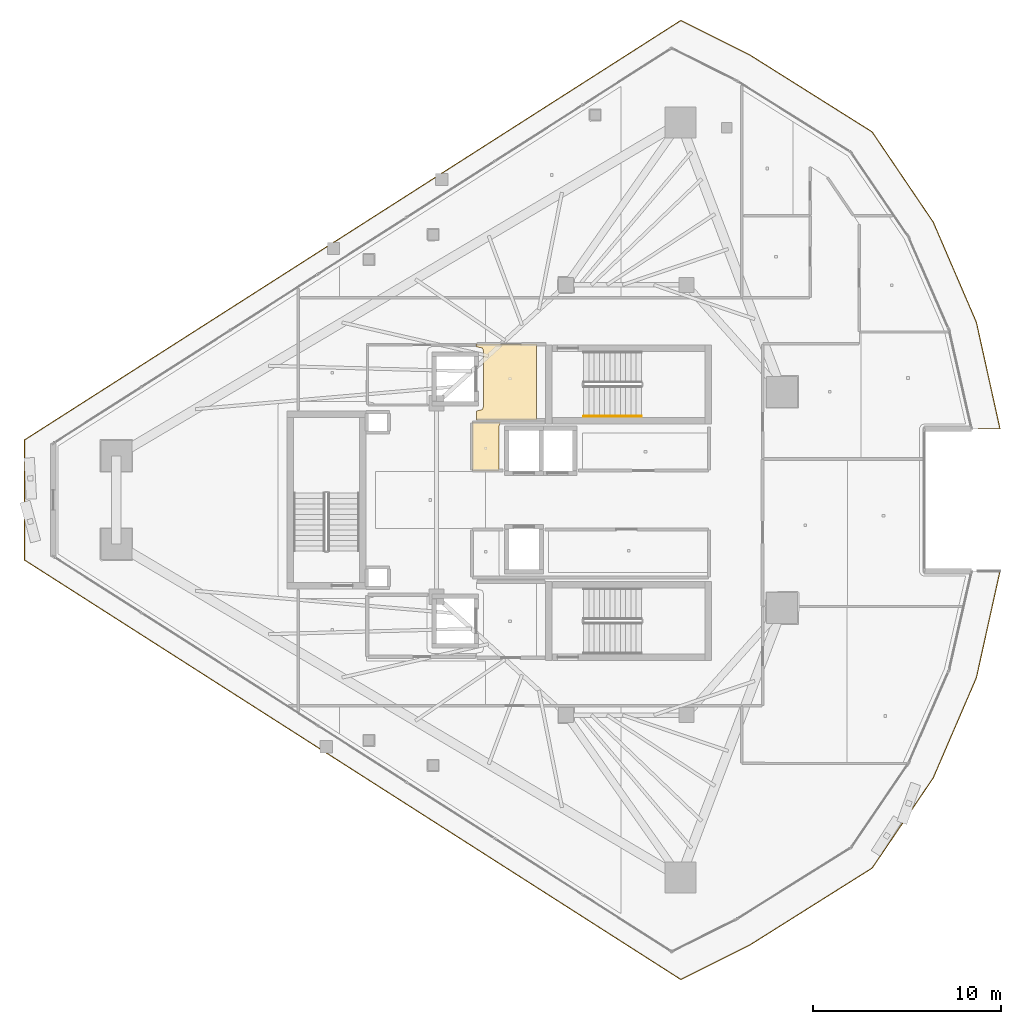
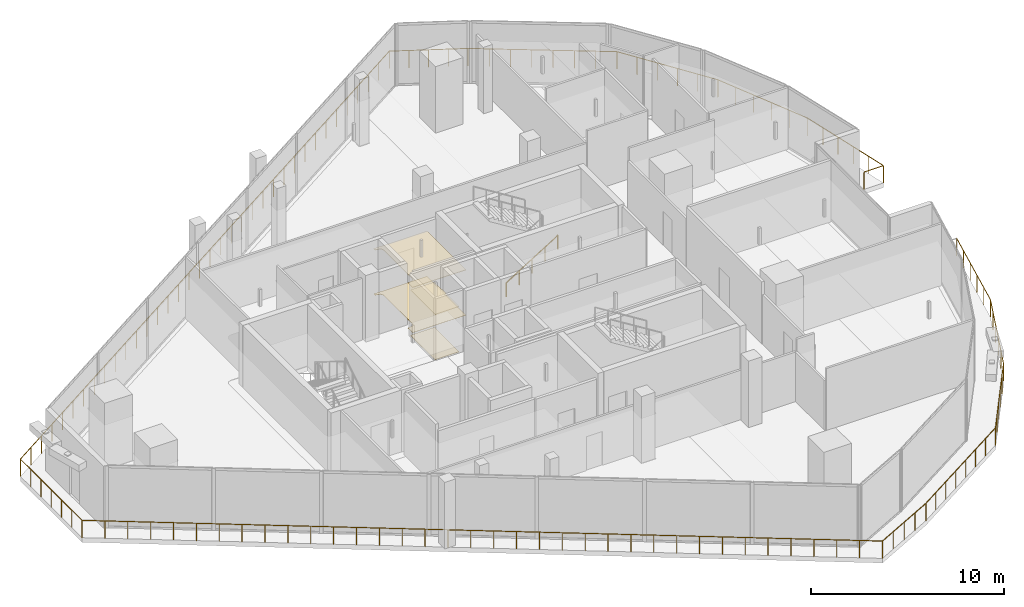
# One storey, part 32 of 34: 4 coverings, 2 railings.
"""IFC4 building model written with IfcOpenShell, lengths in metres."""

from ifc_helpers import new_model, si_unit, direction, frame, origin, origin_2d, place, context, subcontext, project, spatial, polyline, circle, outline, extrude, material, layer, layer_set, type_object, element, save


model = new_model("IFC4")

# Units and contexts
model_context = context("Model", 3, precision=1e-05, world=origin(), true_north=direction((0.0, 1.0)))
body_context = subcontext(model_context, "Body", "Model", "MODEL_VIEW")
ifc_project = project(units=[si_unit("LENGTHUNIT", "METRE"), si_unit("AREAUNIT", "SQUARE_METRE"), si_unit("VOLUMEUNIT", "CUBIC_METRE"), si_unit("PLANEANGLEUNIT", "RADIAN"), si_unit("MASSUNIT", "GRAM", prefix="KILO")], contexts=[model_context])

# Site, building, storey
site_placement = place(None, origin())
site = spatial("IfcSite", under=ifc_project, at=site_placement, CompositionType="ELEMENT")
building_placement = place(site_placement, origin())
building = spatial("IfcBuilding", under=site, at=building_placement, Name="Qorvath Tower", CompositionType="ELEMENT")
storey_placement = place(building_placement, frame((0.0, 0.0, 268.199951171875)))
storey = spatial("IfcBuildingStorey", under=building, at=storey_placement, Name="L62", CompositionType="ELEMENT", Elevation=268.199951171875)

# Coverings
ifc_material_1 = material(Name="Acoustic mineral fibre ceiling tile", Category="gypsum")
ifc_layer_1 = layer(ifc_material_1, 0.030029296875)
ifc_layer_set_1 = layer_set([ifc_layer_1], Name="COV-CEIL")
covering_type_1 = type_object("IfcCoveringType", Name="COV-CEIL", PredefinedType="CEILING", material=ifc_layer_set_1)
covering_1_placement = place(storey_placement, frame((0.0, 0.0, 2.85009765625)))
element("IfcCovering", 1, at=covering_1_placement, inside=storey, type_object=covering_type_1, Name="L62 Suspended Acoustic Ceiling 001", PredefinedType="CEILING", context=body_context, shape_type="SweptSolid", body=[
    extrude(outline(polyline([(-25.18994140625, 4.2548828125), (-25.18994140625, 8.294921875), (-28.375, 8.294921875), (-28.375, 8.159912109375), (-28.063232421875, 8.086669921875), (-27.989990234375, 7.909912109375), (-27.989990234375, 4.989990234375), (-28.063232421875, 4.813232421875), (-28.375, 4.739990234375), (-28.375, 4.2548828125), (-25.18994140625, 4.2548828125)])), origin(), (0.0, 0.0, 1.0), 0.030029296875),
])
covering_2_placement = place(storey_placement, frame((0.0, 0.0, 2.85009765625)))
element("IfcCovering", 2, at=covering_2_placement, inside=storey, type_object=covering_type_1, Name="L62 Suspended Acoustic Ceiling 004", PredefinedType="CEILING", context=body_context, shape_type="SweptSolid", body=[
    extrude(outline(polyline([(-27.159912109375, 1.56494140625), (-27.159912109375, 3.9599609375), (-27.095703125, 4.114990234375), (-28.594970703125, 4.114990234375), (-28.594970703125, 1.56494140625), (-27.159912109375, 1.56494140625)])), origin(), (0.0, 0.0, 1.0), 0.030029296875),
])
ifc_material_2 = material(Name="Low-VOC modular carpet tile", Category="textile")
ifc_layer_2 = layer(ifc_material_2, 0.014892578125)
ifc_layer_set_2 = layer_set([ifc_layer_2], Name="COV-FLOOR-CPT")
covering_type_2 = type_object("IfcCoveringType", Name="COV-FLOOR-CPT", PredefinedType="FLOORING", material=ifc_layer_set_2)
covering_3_placement = place(storey_placement, origin())
element("IfcCovering", 3, at=covering_3_placement, inside=storey, type_object=covering_type_2, Name="L62 Floor Finish 004", PredefinedType="FLOORING", context=body_context, shape_type="SweptSolid", body=[
    extrude(outline(polyline([(-27.159912109375, 1.56494140625), (-27.159912109375, 3.9599609375), (-27.095703125, 4.114990234375), (-28.594970703125, 4.114990234375), (-28.594970703125, 1.56494140625), (-27.159912109375, 1.56494140625)])), origin(), (0.0, 0.0, 1.0), 0.01513671875),
])
ifc_material_3 = material(Name="Polished epoxy terrazzo flooring", Category="concrete")
ifc_layer_3 = layer(ifc_material_3, 0.02001953125)
ifc_layer_set_3 = layer_set([ifc_layer_3], Name="COV-FLOOR-TRZ")
covering_type_3 = type_object("IfcCoveringType", Name="COV-FLOOR-TRZ", PredefinedType="FLOORING", material=ifc_layer_set_3)
covering_4_placement = place(storey_placement, origin())
element("IfcCovering", 4, at=covering_4_placement, inside=storey, type_object=covering_type_3, Name="L62 Floor Finish 001", PredefinedType="FLOORING", context=body_context, shape_type="SweptSolid", body=[
    extrude(outline(polyline([(-25.18994140625, 4.2548828125), (-25.18994140625, 8.294921875), (-28.375, 8.294921875), (-28.375, 8.159912109375), (-28.063232421875, 8.086669921875), (-27.989990234375, 7.909912109375), (-27.989990234375, 4.989990234375), (-28.063232421875, 4.813232421875), (-28.375, 4.739990234375), (-28.375, 4.2548828125), (-25.18994140625, 4.2548828125)])), origin(), (0.0, 0.0, 1.0), 0.01513671875),
])

# Railings
ifc_material_4 = material(Name="Laminated safety glass and stainless steel AISI 316", Category="steel")
railing_type_1 = type_object("IfcRailingType", Name="RL-EXT-GRD", PredefinedType="GUARDRAIL", material=ifc_material_4)
railing_1_placement = place(storey_placement, frame((-0.5029296875, -3.790771484375, 0.0)))
element("IfcRailing", 5, at=railing_1_placement, inside=storey, type_object=railing_type_1, Name="Loggia Perimeter Guardrail L62-1.1", PredefinedType="GUARDRAIL", context=body_context, shape_type="SweptSolid", body=[
    extrude(circle(Radius=0.02392578125, at=origin_2d()), frame((0.0, 0.0, 1.09619140625), z_axis=(-0.216053085193, -0.97638161821, 0.0), x_axis=(0.97638161821, -0.216053085193, 0.0)), (0.0, 0.0, 1.0), 5.804931640625),
    extrude(circle(Radius=0.02392578125, at=origin_2d()), frame((-1.254150390625, -5.667724609375, 1.09619140625), z_axis=(-0.39549727844, -0.918467148431, 0.0), x_axis=(0.918467148431, -0.39549727844, 0.0)), (0.0, 0.0, 1.0), 5.80517578125),
    extrude(circle(Radius=0.02392578125, at=origin_2d()), frame((-3.550048828125, -10.99951171875, 1.09619140625), z_axis=(-0.560828616458, -0.827931919279, 0.0), x_axis=(0.827931919279, -0.560828616458, 0.0)), (0.0, 0.0, 1.0), 5.804931640625),
    extrude(circle(Radius=0.02392578125, at=origin_2d()), frame((-6.8056640625, -15.8056640625, 1.09619140625), z_axis=(-0.846504202931, -0.532382038033, 0.0), x_axis=(0.532382038033, -0.846504202931, 0.0)), (0.0, 0.0, 1.0), 7.71923828125),
    extrude(circle(Radius=0.02392578125, at=origin_2d()), frame((-13.340087890625, -19.915283203125, 1.09619140625), z_axis=(-0.894403239972, -0.447261494349, 0.0), x_axis=(0.447261494349, -0.894403239972, 0.0)), (0.0, 0.0, 1.0), 4.07763671875),
    extrude(circle(Radius=0.02392578125, at=origin_2d()), frame((-16.987060546875, -21.739013671875, 1.09619140625), z_axis=(-0.842602711226, 0.538535672945, 0.0), x_axis=(-0.538535672945, -0.842602711226, 0.0)), (0.0, 0.0, 1.0), 41.480224609375),
    extrude(circle(Radius=0.02392578125, at=origin_2d()), frame((-51.9384765625, 0.599609375, 1.09619140625), z_axis=(0.0, 1.0, 0.0), x_axis=(-1.0, 0.0, 0.0)), (0.0, 0.0, 1.0), 6.38232421875),
    extrude(circle(Radius=0.02392578125, at=origin_2d()), frame((-51.9384765625, 6.98193359375, 1.09619140625), z_axis=(0.842602711226, 0.538535672945, 0.0), x_axis=(-0.538535672945, 0.842602711226, 0.0)), (0.0, 0.0, 1.0), 41.480224609375),
    extrude(circle(Radius=0.02392578125, at=origin_2d()), frame((-16.987060546875, 29.320556640625, 1.09619140625), z_axis=(0.894403239972, -0.447261494349, 0.0), x_axis=(0.447261494349, 0.894403239972, 0.0)), (0.0, 0.0, 1.0), 4.07763671875),
    extrude(circle(Radius=0.02392578125, at=origin_2d()), frame((-13.340087890625, 27.496826171875, 1.09619140625), z_axis=(0.846504202931, -0.532382038033, 0.0), x_axis=(0.532382038033, 0.846504202931, 0.0)), (0.0, 0.0, 1.0), 7.71923828125),
    extrude(circle(Radius=0.02392578125, at=origin_2d()), frame((-6.8056640625, 23.38720703125, 1.09619140625), z_axis=(0.560828616458, -0.827931919279, 0.0), x_axis=(0.827931919279, 0.560828616458, 0.0)), (0.0, 0.0, 1.0), 5.804931640625),
    extrude(circle(Radius=0.02392578125, at=origin_2d()), frame((-3.550048828125, 18.5810546875, 1.09619140625), z_axis=(0.39549727844, -0.918467148431, 0.0), x_axis=(0.918467148431, 0.39549727844, 0.0)), (0.0, 0.0, 1.0), 5.80517578125),
    extrude(circle(Radius=0.02392578125, at=origin_2d()), frame((-1.254150390625, 13.249267578125, 1.09619140625), z_axis=(0.216053085193, -0.97638161821, 0.0), x_axis=(0.97638161821, 0.216053085193, 0.0)), (0.0, 0.0, 1.0), 5.804931640625),
    extrude(circle(Radius=0.02392578125, at=origin_2d()), frame((0.0, 7.58154296875, 1.09619140625), z_axis=(-1.0, 0.0, 0.0), x_axis=(0.0, -1.0, 0.0)), (0.0, 0.0, 1.0), 1.158935546875),
    extrude(circle(Radius=0.02099609375, at=origin_2d()), origin(), (0.0, 0.0, 1.0), 1.072021484375),
    extrude(circle(Radius=0.02099609375, at=origin_2d()), frame((-0.250732421875, -1.133544921875, 0.0)), (0.0, 0.0, 1.0), 1.072021484375),
    extrude(circle(Radius=0.02099609375, at=origin_2d()), frame((-0.501708984375, -2.26708984375, 0.0)), (0.0, 0.0, 1.0), 1.072021484375),
    extrude(circle(Radius=0.02099609375, at=origin_2d()), frame((-0.75244140625, -3.400634765625, 0.0)), (0.0, 0.0, 1.0), 1.072021484375),
    extrude(circle(Radius=0.02099609375, at=origin_2d()), frame((-1.00341796875, -4.5341796875, 0.0)), (0.0, 0.0, 1.0), 1.072021484375),
    extrude(circle(Radius=0.02099609375, at=origin_2d()), frame((-1.254150390625, -5.667724609375, 0.0)), (0.0, 0.0, 1.0), 1.072021484375),
    extrude(circle(Radius=0.02099609375, at=origin_2d()), frame((-1.71337890625, -6.734130859375, 0.0)), (0.0, 0.0, 1.0), 1.072021484375),
    extrude(circle(Radius=0.02099609375, at=origin_2d()), frame((-2.172607421875, -7.800537109375, 0.0)), (0.0, 0.0, 1.0), 1.072021484375),
    extrude(circle(Radius=0.02099609375, at=origin_2d()), frame((-2.631591796875, -8.86669921875, 0.0)), (0.0, 0.0, 1.0), 1.072021484375),
    extrude(circle(Radius=0.02099609375, at=origin_2d()), frame((-3.0908203125, -9.93310546875, 0.0)), (0.0, 0.0, 1.0), 1.072021484375),
    extrude(circle(Radius=0.02099609375, at=origin_2d()), frame((-3.550048828125, -10.99951171875, 0.0)), (0.0, 0.0, 1.0), 1.072021484375),
    extrude(circle(Radius=0.02099609375, at=origin_2d()), frame((-4.201171875, -11.960693359375, 0.0)), (0.0, 0.0, 1.0), 1.072021484375),
    extrude(circle(Radius=0.02099609375, at=origin_2d()), frame((-4.852294921875, -12.921875, 0.0)), (0.0, 0.0, 1.0), 1.072021484375),
    extrude(circle(Radius=0.02099609375, at=origin_2d()), frame((-5.50341796875, -13.88330078125, 0.0)), (0.0, 0.0, 1.0), 1.072021484375),
    extrude(circle(Radius=0.02099609375, at=origin_2d()), frame((-6.154541015625, -14.844482421875, 0.0)), (0.0, 0.0, 1.0), 1.072021484375),
    extrude(circle(Radius=0.02099609375, at=origin_2d()), frame((-6.8056640625, -15.8056640625, 0.0)), (0.0, 0.0, 1.0), 1.072021484375),
    extrude(circle(Radius=0.02099609375, at=origin_2d()), frame((-7.7392578125, -16.392822265625, 0.0)), (0.0, 0.0, 1.0), 1.072021484375),
    extrude(circle(Radius=0.02099609375, at=origin_2d()), frame((-8.672607421875, -16.979736328125, 0.0)), (0.0, 0.0, 1.0), 1.072021484375),
    extrude(circle(Radius=0.02099609375, at=origin_2d()), frame((-9.606201171875, -17.56689453125, 0.0)), (0.0, 0.0, 1.0), 1.072021484375),
    extrude(circle(Radius=0.02099609375, at=origin_2d()), frame((-10.53955078125, -18.154052734375, 0.0)), (0.0, 0.0, 1.0), 1.072021484375),
    extrude(circle(Radius=0.02099609375, at=origin_2d()), frame((-11.47314453125, -18.7412109375, 0.0)), (0.0, 0.0, 1.0), 1.072021484375),
    extrude(circle(Radius=0.02099609375, at=origin_2d()), frame((-12.406494140625, -19.328125, 0.0)), (0.0, 0.0, 1.0), 1.072021484375),
    extrude(circle(Radius=0.02099609375, at=origin_2d()), frame((-13.340087890625, -19.915283203125, 0.0)), (0.0, 0.0, 1.0), 1.072021484375),
    extrude(circle(Radius=0.02099609375, at=origin_2d()), frame((-14.251953125, -20.37109375, 0.0)), (0.0, 0.0, 1.0), 1.072021484375),
    extrude(circle(Radius=0.02099609375, at=origin_2d()), frame((-15.16357421875, -20.8271484375, 0.0)), (0.0, 0.0, 1.0), 1.072021484375),
    extrude(circle(Radius=0.02099609375, at=origin_2d()), frame((-16.0751953125, -21.283203125, 0.0)), (0.0, 0.0, 1.0), 1.072021484375),
    extrude(circle(Radius=0.02099609375, at=origin_2d()), frame((-16.987060546875, -21.739013671875, 0.0)), (0.0, 0.0, 1.0), 1.072021484375),
    extrude(circle(Radius=0.02099609375, at=origin_2d()), frame((-17.985595703125, -21.100830078125, 0.0)), (0.0, 0.0, 1.0), 1.072021484375),
    extrude(circle(Radius=0.02099609375, at=origin_2d()), frame((-18.984375, -20.46240234375, 0.0)), (0.0, 0.0, 1.0), 1.072021484375),
    extrude(circle(Radius=0.02099609375, at=origin_2d()), frame((-19.98291015625, -19.82421875, 0.0)), (0.0, 0.0, 1.0), 1.072021484375),
    extrude(circle(Radius=0.02099609375, at=origin_2d()), frame((-20.9814453125, -19.18603515625, 0.0)), (0.0, 0.0, 1.0), 1.072021484375),
    extrude(circle(Radius=0.02099609375, at=origin_2d()), frame((-21.980224609375, -18.5478515625, 0.0)), (0.0, 0.0, 1.0), 1.072021484375),
    extrude(circle(Radius=0.02099609375, at=origin_2d()), frame((-22.978759765625, -17.909423828125, 0.0)), (0.0, 0.0, 1.0), 1.072021484375),
    extrude(circle(Radius=0.02099609375, at=origin_2d()), frame((-23.977294921875, -17.271240234375, 0.0)), (0.0, 0.0, 1.0), 1.072021484375),
    extrude(circle(Radius=0.02099609375, at=origin_2d()), frame((-24.97607421875, -16.633056640625, 0.0)), (0.0, 0.0, 1.0), 1.072021484375),
    extrude(circle(Radius=0.02099609375, at=origin_2d()), frame((-25.974609375, -15.994873046875, 0.0)), (0.0, 0.0, 1.0), 1.072021484375),
    extrude(circle(Radius=0.02099609375, at=origin_2d()), frame((-26.97314453125, -15.3564453125, 0.0)), (0.0, 0.0, 1.0), 1.072021484375),
    extrude(circle(Radius=0.02099609375, at=origin_2d()), frame((-27.9716796875, -14.71826171875, 0.0)), (0.0, 0.0, 1.0), 1.072021484375),
    extrude(circle(Radius=0.02099609375, at=origin_2d()), frame((-28.970458984375, -14.080078125, 0.0)), (0.0, 0.0, 1.0), 1.072021484375),
    extrude(circle(Radius=0.02099609375, at=origin_2d()), frame((-29.968994140625, -13.44189453125, 0.0)), (0.0, 0.0, 1.0), 1.072021484375),
    extrude(circle(Radius=0.02099609375, at=origin_2d()), frame((-30.967529296875, -12.803466796875, 0.0)), (0.0, 0.0, 1.0), 1.072021484375),
    extrude(circle(Radius=0.02099609375, at=origin_2d()), frame((-31.96630859375, -12.165283203125, 0.0)), (0.0, 0.0, 1.0), 1.072021484375),
    extrude(circle(Radius=0.02099609375, at=origin_2d()), frame((-32.96484375, -11.527099609375, 0.0)), (0.0, 0.0, 1.0), 1.072021484375),
    extrude(circle(Radius=0.02099609375, at=origin_2d()), frame((-33.96337890625, -10.888916015625, 0.0)), (0.0, 0.0, 1.0), 1.072021484375),
    extrude(circle(Radius=0.02099609375, at=origin_2d()), frame((-34.962158203125, -10.25048828125, 0.0)), (0.0, 0.0, 1.0), 1.072021484375),
    extrude(circle(Radius=0.02099609375, at=origin_2d()), frame((-35.960693359375, -9.6123046875, 0.0)), (0.0, 0.0, 1.0), 1.072021484375),
    extrude(circle(Radius=0.02099609375, at=origin_2d()), frame((-36.959228515625, -8.97412109375, 0.0)), (0.0, 0.0, 1.0), 1.072021484375),
    extrude(circle(Radius=0.02099609375, at=origin_2d()), frame((-37.9580078125, -8.3359375, 0.0)), (0.0, 0.0, 1.0), 1.072021484375),
    extrude(circle(Radius=0.02099609375, at=origin_2d()), frame((-38.95654296875, -7.697509765625, 0.0)), (0.0, 0.0, 1.0), 1.072021484375),
    extrude(circle(Radius=0.02099609375, at=origin_2d()), frame((-39.955078125, -7.059326171875, 0.0)), (0.0, 0.0, 1.0), 1.072021484375),
    extrude(circle(Radius=0.02099609375, at=origin_2d()), frame((-40.953857421875, -6.421142578125, 0.0)), (0.0, 0.0, 1.0), 1.072021484375),
    extrude(circle(Radius=0.02099609375, at=origin_2d()), frame((-41.952392578125, -5.782958984375, 0.0)), (0.0, 0.0, 1.0), 1.072021484375),
    extrude(circle(Radius=0.02099609375, at=origin_2d()), frame((-42.950927734375, -5.14453125, 0.0)), (0.0, 0.0, 1.0), 1.072021484375),
    extrude(circle(Radius=0.02099609375, at=origin_2d()), frame((-43.949462890625, -4.50634765625, 0.0)), (0.0, 0.0, 1.0), 1.072021484375),
    extrude(circle(Radius=0.02099609375, at=origin_2d()), frame((-44.9482421875, -3.8681640625, 0.0)), (0.0, 0.0, 1.0), 1.072021484375),
    extrude(circle(Radius=0.02099609375, at=origin_2d()), frame((-45.94677734375, -3.22998046875, 0.0)), (0.0, 0.0, 1.0), 1.072021484375),
    extrude(circle(Radius=0.02099609375, at=origin_2d()), frame((-46.9453125, -2.591552734375, 0.0)), (0.0, 0.0, 1.0), 1.072021484375),
    extrude(circle(Radius=0.02099609375, at=origin_2d()), frame((-47.944091796875, -1.953369140625, 0.0)), (0.0, 0.0, 1.0), 1.072021484375),
    extrude(circle(Radius=0.02099609375, at=origin_2d()), frame((-48.942626953125, -1.315185546875, 0.0)), (0.0, 0.0, 1.0), 1.072021484375),
    extrude(circle(Radius=0.02099609375, at=origin_2d()), frame((-49.941162109375, -0.677001953125, 0.0)), (0.0, 0.0, 1.0), 1.072021484375),
    extrude(circle(Radius=0.02099609375, at=origin_2d()), frame((-50.93994140625, -0.03857421875, 0.0)), (0.0, 0.0, 1.0), 1.072021484375),
    extrude(circle(Radius=0.02099609375, at=origin_2d()), frame((-51.9384765625, 0.599609375, 0.0)), (0.0, 0.0, 1.0), 1.072021484375),
    extrude(circle(Radius=0.02099609375, at=origin_2d()), frame((-51.9384765625, 1.663330078125, 0.0)), (0.0, 0.0, 1.0), 1.072021484375),
    extrude(circle(Radius=0.02099609375, at=origin_2d()), frame((-51.9384765625, 2.72705078125, 0.0)), (0.0, 0.0, 1.0), 1.072021484375),
    extrude(circle(Radius=0.02099609375, at=origin_2d()), frame((-51.9384765625, 3.790771484375, 0.0)), (0.0, 0.0, 1.0), 1.072021484375),
    extrude(circle(Radius=0.02099609375, at=origin_2d()), frame((-51.9384765625, 4.8544921875, 0.0)), (0.0, 0.0, 1.0), 1.072021484375),
    extrude(circle(Radius=0.02099609375, at=origin_2d()), frame((-51.9384765625, 5.918212890625, 0.0)), (0.0, 0.0, 1.0), 1.072021484375),
    extrude(circle(Radius=0.02099609375, at=origin_2d()), frame((-51.9384765625, 6.98193359375, 0.0)), (0.0, 0.0, 1.0), 1.072021484375),
    extrude(circle(Radius=0.02099609375, at=origin_2d()), frame((-50.93994140625, 7.6201171875, 0.0)), (0.0, 0.0, 1.0), 1.072021484375),
    extrude(circle(Radius=0.02099609375, at=origin_2d()), frame((-49.941162109375, 8.258544921875, 0.0)), (0.0, 0.0, 1.0), 1.072021484375),
    extrude(circle(Radius=0.02099609375, at=origin_2d()), frame((-48.942626953125, 8.896728515625, 0.0)), (0.0, 0.0, 1.0), 1.072021484375),
    extrude(circle(Radius=0.02099609375, at=origin_2d()), frame((-47.944091796875, 9.534912109375, 0.0)), (0.0, 0.0, 1.0), 1.072021484375),
    extrude(circle(Radius=0.02099609375, at=origin_2d()), frame((-46.9453125, 10.173095703125, 0.0)), (0.0, 0.0, 1.0), 1.072021484375),
    extrude(circle(Radius=0.02099609375, at=origin_2d()), frame((-45.94677734375, 10.8115234375, 0.0)), (0.0, 0.0, 1.0), 1.072021484375),
    extrude(circle(Radius=0.02099609375, at=origin_2d()), frame((-44.9482421875, 11.44970703125, 0.0)), (0.0, 0.0, 1.0), 1.072021484375),
    extrude(circle(Radius=0.02099609375, at=origin_2d()), frame((-43.949462890625, 12.087890625, 0.0)), (0.0, 0.0, 1.0), 1.072021484375),
    extrude(circle(Radius=0.02099609375, at=origin_2d()), frame((-42.950927734375, 12.72607421875, 0.0)), (0.0, 0.0, 1.0), 1.072021484375),
    extrude(circle(Radius=0.02099609375, at=origin_2d()), frame((-41.952392578125, 13.364501953125, 0.0)), (0.0, 0.0, 1.0), 1.072021484375),
    extrude(circle(Radius=0.02099609375, at=origin_2d()), frame((-40.953857421875, 14.002685546875, 0.0)), (0.0, 0.0, 1.0), 1.072021484375),
    extrude(circle(Radius=0.02099609375, at=origin_2d()), frame((-39.955078125, 14.640869140625, 0.0)), (0.0, 0.0, 1.0), 1.072021484375),
    extrude(circle(Radius=0.02099609375, at=origin_2d()), frame((-38.95654296875, 15.279052734375, 0.0)), (0.0, 0.0, 1.0), 1.072021484375),
    extrude(circle(Radius=0.02099609375, at=origin_2d()), frame((-37.9580078125, 15.91748046875, 0.0)), (0.0, 0.0, 1.0), 1.072021484375),
    extrude(circle(Radius=0.02099609375, at=origin_2d()), frame((-36.959228515625, 16.5556640625, 0.0)), (0.0, 0.0, 1.0), 1.072021484375),
    extrude(circle(Radius=0.02099609375, at=origin_2d()), frame((-35.960693359375, 17.19384765625, 0.0)), (0.0, 0.0, 1.0), 1.072021484375),
    extrude(circle(Radius=0.02099609375, at=origin_2d()), frame((-34.962158203125, 17.83203125, 0.0)), (0.0, 0.0, 1.0), 1.072021484375),
    extrude(circle(Radius=0.02099609375, at=origin_2d()), frame((-33.96337890625, 18.470458984375, 0.0)), (0.0, 0.0, 1.0), 1.072021484375),
    extrude(circle(Radius=0.02099609375, at=origin_2d()), frame((-32.96484375, 19.108642578125, 0.0)), (0.0, 0.0, 1.0), 1.072021484375),
    extrude(circle(Radius=0.02099609375, at=origin_2d()), frame((-31.96630859375, 19.746826171875, 0.0)), (0.0, 0.0, 1.0), 1.072021484375),
    extrude(circle(Radius=0.02099609375, at=origin_2d()), frame((-30.967529296875, 20.385009765625, 0.0)), (0.0, 0.0, 1.0), 1.072021484375),
    extrude(circle(Radius=0.02099609375, at=origin_2d()), frame((-29.968994140625, 21.0234375, 0.0)), (0.0, 0.0, 1.0), 1.072021484375),
    extrude(circle(Radius=0.02099609375, at=origin_2d()), frame((-28.970458984375, 21.66162109375, 0.0)), (0.0, 0.0, 1.0), 1.072021484375),
    extrude(circle(Radius=0.02099609375, at=origin_2d()), frame((-27.9716796875, 22.2998046875, 0.0)), (0.0, 0.0, 1.0), 1.072021484375),
    extrude(circle(Radius=0.02099609375, at=origin_2d()), frame((-26.97314453125, 22.93798828125, 0.0)), (0.0, 0.0, 1.0), 1.072021484375),
    extrude(circle(Radius=0.02099609375, at=origin_2d()), frame((-25.974609375, 23.576416015625, 0.0)), (0.0, 0.0, 1.0), 1.072021484375),
    extrude(circle(Radius=0.02099609375, at=origin_2d()), frame((-24.97607421875, 24.214599609375, 0.0)), (0.0, 0.0, 1.0), 1.072021484375),
    extrude(circle(Radius=0.02099609375, at=origin_2d()), frame((-23.977294921875, 24.852783203125, 0.0)), (0.0, 0.0, 1.0), 1.072021484375),
    extrude(circle(Radius=0.02099609375, at=origin_2d()), frame((-22.978759765625, 25.490966796875, 0.0)), (0.0, 0.0, 1.0), 1.072021484375),
    extrude(circle(Radius=0.02099609375, at=origin_2d()), frame((-21.980224609375, 26.12939453125, 0.0)), (0.0, 0.0, 1.0), 1.072021484375),
    extrude(circle(Radius=0.02099609375, at=origin_2d()), frame((-20.9814453125, 26.767578125, 0.0)), (0.0, 0.0, 1.0), 1.072021484375),
    extrude(circle(Radius=0.02099609375, at=origin_2d()), frame((-19.98291015625, 27.40576171875, 0.0)), (0.0, 0.0, 1.0), 1.072021484375),
    extrude(circle(Radius=0.02099609375, at=origin_2d()), frame((-18.984375, 28.0439453125, 0.0)), (0.0, 0.0, 1.0), 1.072021484375),
    extrude(circle(Radius=0.02099609375, at=origin_2d()), frame((-17.985595703125, 28.682373046875, 0.0)), (0.0, 0.0, 1.0), 1.072021484375),
    extrude(circle(Radius=0.02099609375, at=origin_2d()), frame((-16.987060546875, 29.320556640625, 0.0)), (0.0, 0.0, 1.0), 1.072021484375),
    extrude(circle(Radius=0.02099609375, at=origin_2d()), frame((-16.0751953125, 28.86474609375, 0.0)), (0.0, 0.0, 1.0), 1.072021484375),
    extrude(circle(Radius=0.02099609375, at=origin_2d()), frame((-15.16357421875, 28.40869140625, 0.0)), (0.0, 0.0, 1.0), 1.072021484375),
    extrude(circle(Radius=0.02099609375, at=origin_2d()), frame((-14.251953125, 27.95263671875, 0.0)), (0.0, 0.0, 1.0), 1.072021484375),
    extrude(circle(Radius=0.02099609375, at=origin_2d()), frame((-13.340087890625, 27.496826171875, 0.0)), (0.0, 0.0, 1.0), 1.072021484375),
    extrude(circle(Radius=0.02099609375, at=origin_2d()), frame((-12.406494140625, 26.90966796875, 0.0)), (0.0, 0.0, 1.0), 1.072021484375),
    extrude(circle(Radius=0.02099609375, at=origin_2d()), frame((-11.47314453125, 26.32275390625, 0.0)), (0.0, 0.0, 1.0), 1.072021484375),
    extrude(circle(Radius=0.02099609375, at=origin_2d()), frame((-10.53955078125, 25.735595703125, 0.0)), (0.0, 0.0, 1.0), 1.072021484375),
    extrude(circle(Radius=0.02099609375, at=origin_2d()), frame((-9.606201171875, 25.1484375, 0.0)), (0.0, 0.0, 1.0), 1.072021484375),
    extrude(circle(Radius=0.02099609375, at=origin_2d()), frame((-8.672607421875, 24.561279296875, 0.0)), (0.0, 0.0, 1.0), 1.072021484375),
    extrude(circle(Radius=0.02099609375, at=origin_2d()), frame((-7.7392578125, 23.974365234375, 0.0)), (0.0, 0.0, 1.0), 1.072021484375),
    extrude(circle(Radius=0.02099609375, at=origin_2d()), frame((-6.8056640625, 23.38720703125, 0.0)), (0.0, 0.0, 1.0), 1.072021484375),
    extrude(circle(Radius=0.02099609375, at=origin_2d()), frame((-6.154541015625, 22.426025390625, 0.0)), (0.0, 0.0, 1.0), 1.072021484375),
    extrude(circle(Radius=0.02099609375, at=origin_2d()), frame((-5.50341796875, 21.46484375, 0.0)), (0.0, 0.0, 1.0), 1.072021484375),
    extrude(circle(Radius=0.02099609375, at=origin_2d()), frame((-4.852294921875, 20.50341796875, 0.0)), (0.0, 0.0, 1.0), 1.072021484375),
    extrude(circle(Radius=0.02099609375, at=origin_2d()), frame((-4.201171875, 19.542236328125, 0.0)), (0.0, 0.0, 1.0), 1.072021484375),
    extrude(circle(Radius=0.02099609375, at=origin_2d()), frame((-3.550048828125, 18.5810546875, 0.0)), (0.0, 0.0, 1.0), 1.072021484375),
    extrude(circle(Radius=0.02099609375, at=origin_2d()), frame((-3.0908203125, 17.5146484375, 0.0)), (0.0, 0.0, 1.0), 1.072021484375),
    extrude(circle(Radius=0.02099609375, at=origin_2d()), frame((-2.631591796875, 16.4482421875, 0.0)), (0.0, 0.0, 1.0), 1.072021484375),
    extrude(circle(Radius=0.02099609375, at=origin_2d()), frame((-2.172607421875, 15.382080078125, 0.0)), (0.0, 0.0, 1.0), 1.072021484375),
    extrude(circle(Radius=0.02099609375, at=origin_2d()), frame((-1.71337890625, 14.315673828125, 0.0)), (0.0, 0.0, 1.0), 1.072021484375),
    extrude(circle(Radius=0.02099609375, at=origin_2d()), frame((-1.254150390625, 13.249267578125, 0.0)), (0.0, 0.0, 1.0), 1.072021484375),
    extrude(circle(Radius=0.02099609375, at=origin_2d()), frame((-1.00341796875, 12.11572265625, 0.0)), (0.0, 0.0, 1.0), 1.072021484375),
    extrude(circle(Radius=0.02099609375, at=origin_2d()), frame((-0.75244140625, 10.982177734375, 0.0)), (0.0, 0.0, 1.0), 1.072021484375),
    extrude(circle(Radius=0.02099609375, at=origin_2d()), frame((-0.501708984375, 9.8486328125, 0.0)), (0.0, 0.0, 1.0), 1.072021484375),
    extrude(circle(Radius=0.02099609375, at=origin_2d()), frame((-0.250732421875, 8.715087890625, 0.0)), (0.0, 0.0, 1.0), 1.072021484375),
    extrude(circle(Radius=0.02099609375, at=origin_2d()), frame((0.0, 7.58154296875, 0.0)), (0.0, 0.0, 1.0), 1.072021484375),
    extrude(circle(Radius=0.02099609375, at=origin_2d()), frame((-1.158935546875, 7.58154296875, 0.0)), (0.0, 0.0, 1.0), 1.072021484375),
])
ifc_material_5 = material(Name="Brushed stainless steel AISI 304", Category="steel")
railing_type_2 = type_object("IfcRailingType", Name="RL-STR-HND", PredefinedType="HANDRAIL", material=ifc_material_5)
railing_2_placement = place(storey_placement, frame((-22.669921875, 4.449951171875, 0.175048828125)))
element("IfcRailing", 6, at=railing_2_placement, inside=storey, type_object=railing_type_2, Name="L62 TS1 stair handrail 1", PredefinedType="HANDRAIL", context=body_context, shape_type="SweptSolid", body=[
    extrude(circle(Radius=0.02392578125, at=origin_2d()), frame((0.0, 0.0, 0.8759765625), z_axis=(0.847979421464, 0.0, 0.530029150871), x_axis=(0.0, 1.0, 0.0)), (0.0, 0.0, 1.0), 3.632080078125),
    extrude(circle(Radius=0.02099609375, at=origin_2d()), origin(), (0.0, 0.0, 1.0), 0.851806640625),
    extrude(circle(Radius=0.02099609375, at=origin_2d()), frame((0.77001953125, 0.0, 0.481201171875)), (0.0, 0.0, 1.0), 0.851806640625),
    extrude(circle(Radius=0.02099609375, at=origin_2d()), frame((1.5400390625, 0.0, 0.96240234375)), (0.0, 0.0, 1.0), 0.851806640625),
    extrude(circle(Radius=0.02099609375, at=origin_2d()), frame((2.309814453125, 0.0, 1.44384765625)), (0.0, 0.0, 1.0), 0.851806640625),
    extrude(circle(Radius=0.02099609375, at=origin_2d()), frame((3.079833984375, 0.0, 1.925048828125)), (0.0, 0.0, 1.0), 0.851806640625),
])

save(model, "model.ifc")
